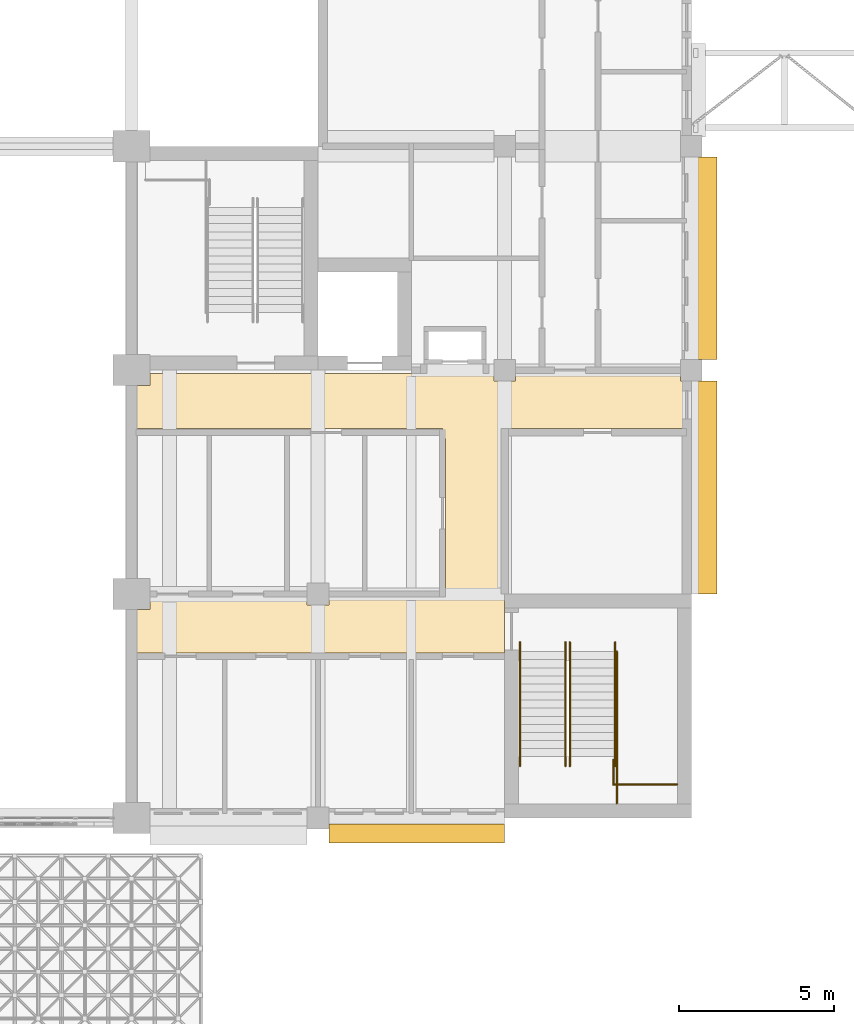
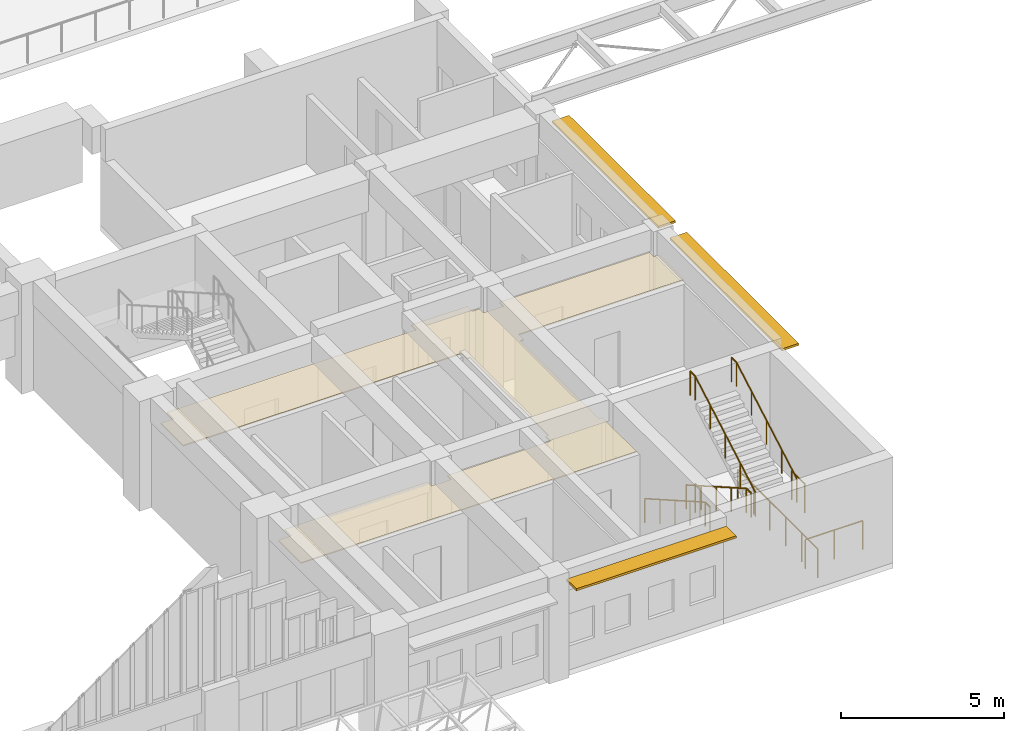
# One storey, part 99 of 103: 8 railings, 3 shading devices, 1 covering.
"""IFC4 building model written with IfcOpenShell, lengths in metres."""

from ifc_helpers import new_model, si_unit, direction, frame, origin, origin_2d, place, context, subcontext, project, spatial, polyline, rectangle, circle, outline, extrude, material, layer, layer_set, type_object, element, save


model = new_model("IFC4")

# Units and contexts
model_context = context("Model", 3, precision=1e-05, world=origin(), true_north=direction((0.0, 1.0)))
body_context = subcontext(model_context, "Body", "Model", "MODEL_VIEW")
ifc_project = project(units=[si_unit("LENGTHUNIT", "METRE"), si_unit("AREAUNIT", "SQUARE_METRE"), si_unit("VOLUMEUNIT", "CUBIC_METRE"), si_unit("PLANEANGLEUNIT", "RADIAN"), si_unit("MASSUNIT", "GRAM", prefix="KILO")], contexts=[model_context])

# Site, building, storey
site_placement = place(None, origin())
site = spatial("IfcSite", under=ifc_project, at=site_placement, CompositionType="ELEMENT")
building_placement = place(site_placement, origin())
building = spatial("IfcBuilding", under=site, at=building_placement, Name="Laocheng Heights Fire and Rescue Headquarters", CompositionType="ELEMENT")
storey_placement = place(building_placement, frame((0.0, 0.0, 4.199951171875)))
storey = spatial("IfcBuildingStorey", under=building, at=storey_placement, Name="L01", CompositionType="ELEMENT", Elevation=4.199951171875)

# Shading devices
ifc_material_1 = material(Name="Precast concrete C40/50, light warm grey", Category="concrete")
ifc_layer_1 = layer(ifc_material_1, 0.080078125)
ifc_layer_set_1 = layer_set([ifc_layer_1], Name="Precast concrete C40/50, light warm grey")
shading_device_type_1 = type_object("IfcShadingDeviceType", Name="PRECAST BLADE 600 x 80 BLADE E FLANK EAST", PredefinedType="JALOUSIE", material=ifc_layer_set_1)
shading_device_1_placement = place(storey_placement, frame((72.52490234375, 10.625, 3.4599609375), z_axis=(0.0, 0.0, 1.0), x_axis=(1.0, 0.0, 0.0)))
element("IfcShadingDevice", 1, at=shading_device_1_placement, inside=storey, type_object=shading_device_type_1, Name="BLADE E FLANK EAST L01", PredefinedType="JALOUSIE", context=body_context, shape_type="SweptSolid", body=[
    extrude(rectangle(XDim=0.60009765625, YDim=6.85009765625, at=origin_2d()), origin(), (0.0, 0.0, 1.0), 0.080078125),
])
shading_device_2_placement = place(storey_placement, frame((72.52490234375, 18.0, 3.4599609375), z_axis=(0.0, 0.0, 1.0), x_axis=(1.0, 0.0, 0.0)))
element("IfcShadingDevice", 2, at=shading_device_2_placement, inside=storey, type_object=shading_device_type_1, Name="BLADE E FLANK EAST L01", PredefinedType="JALOUSIE", context=body_context, shape_type="SweptSolid", body=[
    extrude(rectangle(XDim=0.60009765625, YDim=6.5, at=origin_2d()), origin(), (0.0, 0.0, 1.0), 0.080078125),
])
ifc_material_2 = material(Name="Precast concrete C40/50, light warm grey", Category="concrete")
ifc_layer_2 = layer(ifc_material_2, 0.080078125)
ifc_layer_set_2 = layer_set([ifc_layer_2], Name="Precast concrete C40/50, light warm grey")
shading_device_type_2 = type_object("IfcShadingDeviceType", Name="PRECAST BLADE 600 x 80 BLADE E FLANK SOUTH", PredefinedType="JALOUSIE", material=ifc_layer_set_2)
shading_device_3_placement = place(storey_placement, frame((63.175048828125, -0.5, 3.510009765625), z_axis=(0.0, 0.0, 1.0), x_axis=(1.0, 0.0, 0.0)))
element("IfcShadingDevice", 3, at=shading_device_3_placement, inside=storey, type_object=shading_device_type_2, Name="BLADE E FLANK SOUTH L01", PredefinedType="JALOUSIE", context=body_context, shape_type="SweptSolid", body=[
    extrude(rectangle(XDim=5.64990234375, YDim=0.60009765625, at=origin_2d()), origin(), (0.0, 0.0, 1.0), 0.080078125),
])

# Railings
ifc_material_3 = material(Name="Steel Q355B", Category="steel")
railing_type_1 = type_object("IfcRailingType", Name="STAIR GUARD 1100", PredefinedType="GUARDRAIL", material=ifc_material_3)
railing_1_placement = place(storey_placement, frame((68.094970703125, 5.0498046875, 0.0)))
element("IfcRailing", 4, at=railing_1_placement, inside=storey, type_object=railing_type_1, Name="Stair E2 guard L01 well edge", PredefinedType="GUARDRAIL", context=body_context, shape_type="SweptSolid", body=[
    extrude(circle(Radius=0.02392578125, at=origin_2d()), frame((0.0, 0.0, 1.076171875), z_axis=(0.0, 1.0, 0.0), x_axis=(-1.0, 0.0, 0.0)), (0.0, 0.0, 1.0), 0.30029296875),
    extrude(circle(Radius=0.02099609375, at=origin_2d()), origin(), (0.0, 0.0, 1.0), 1.052001953125),
    extrude(circle(Radius=0.02099609375, at=origin_2d()), frame((0.0, 0.30029296875, 0.0)), (0.0, 0.0, 1.0), 1.052001953125),
])
railing_2_placement = place(storey_placement, frame((69.52490234375, 1.080078125, 0.0)))
element("IfcRailing", 5, at=railing_2_placement, inside=storey, type_object=railing_type_1, Name="Stair E2 guard L01 tongue edge", PredefinedType="GUARDRAIL", context=body_context, shape_type="SweptSolid", body=[
    extrude(circle(Radius=0.02392578125, at=origin_2d()), frame((0.0, 0.0, 1.076171875), z_axis=(1.0, 0.0, 0.0), x_axis=(0.0, 1.0, 0.0)), (0.0, 0.0, 1.0), 2.025146484375),
    extrude(circle(Radius=0.02099609375, at=origin_2d()), origin(), (0.0, 0.0, 1.0), 1.052001953125),
    extrude(circle(Radius=0.02099609375, at=origin_2d()), frame((1.0126953125, 0.0, 0.0)), (0.0, 0.0, 1.0), 1.052001953125),
    extrude(circle(Radius=0.02099609375, at=origin_2d()), frame((2.025146484375, 0.0, 0.0)), (0.0, 0.0, 1.0), 1.052001953125),
])
railing_3_placement = place(storey_placement, frame((69.60498046875, 0.469970703125, 0.0)))
element("IfcRailing", 6, at=railing_3_placement, inside=storey, type_object=railing_type_1, Name="Stair E2 guard L01 strip edge", PredefinedType="GUARDRAIL", context=body_context, shape_type="SweptSolid", body=[
    extrude(circle(Radius=0.02392578125, at=origin_2d()), frame((0.0, 0.0, 1.076171875), z_axis=(0.0, 1.0, 0.0), x_axis=(-1.0, 0.0, 0.0)), (0.0, 0.0, 1.0), 4.880126953125),
    extrude(circle(Radius=0.02099609375, at=origin_2d()), origin(), (0.0, 0.0, 1.0), 1.052001953125),
    extrude(circle(Radius=0.02099609375, at=origin_2d()), frame((0.0, 0.97607421875, 0.0)), (0.0, 0.0, 1.0), 1.052001953125),
    extrude(circle(Radius=0.02099609375, at=origin_2d()), frame((0.0, 1.9521484375, 0.0)), (0.0, 0.0, 1.0), 1.052001953125),
    extrude(circle(Radius=0.02099609375, at=origin_2d()), frame((0.0, 2.927978515625, 0.0)), (0.0, 0.0, 1.0), 1.052001953125),
    extrude(circle(Radius=0.02099609375, at=origin_2d()), frame((0.0, 3.904052734375, 0.0)), (0.0, 0.0, 1.0), 1.052001953125),
    extrude(circle(Radius=0.02099609375, at=origin_2d()), frame((0.0, 4.880126953125, 0.0)), (0.0, 0.0, 1.0), 1.052001953125),
])
railing_4_placement = place(storey_placement, frame((69.4951171875, 1.070068359375, 2.10009765625)))
element("IfcRailing", 7, at=railing_4_placement, inside=storey, type_object=railing_type_1, Name="Stair E2 guard L01 half landing", PredefinedType="GUARDRAIL", context=body_context, shape_type="SweptSolid", body=[
    extrude(circle(Radius=0.02392578125, at=origin_2d()), frame((0.0, 0.0, 1.076171875), z_axis=(0.0, 1.0, 0.0), x_axis=(-1.0, 0.0, 0.0)), (0.0, 0.0, 1.0), 0.800048828125),
    extrude(circle(Radius=0.02099609375, at=origin_2d()), origin(), (0.0, 0.0, 1.0), 1.052001953125),
    extrude(circle(Radius=0.02099609375, at=origin_2d()), frame((0.0, 0.800048828125, 0.0)), (0.0, 0.0, 1.0), 1.052001953125),
])
ifc_material_4 = material(Name="Steel Q355B", Category="steel")
railing_type_2 = type_object("IfcRailingType", Name="STAIR HANDRAIL 920", PredefinedType="HANDRAIL", material=ifc_material_4)
for number, where, name in (
    (8, (66.4951171875, 5.64990234375, 0.0), "Stair E2 handrail L01 1"),
    (9, (67.955078125, 5.64990234375, 0.0), "Stair E2 handrail L01 2"),
):
    element("IfcRailing", number, at=place(storey_placement, frame(where)), inside=storey, type_object=railing_type_2, Name=name, PredefinedType="HANDRAIL", context=body_context, shape_type="SweptSolid", body=[
        extrude(circle(Radius=0.02392578125, at=origin_2d()), frame((0.0, 0.0, 0.89599609375), z_axis=(0.0, -0.868519587458, 0.495654845838), x_axis=(1.0, 0.0, 0.0)), (0.0, 0.0, 1.0), 4.237060546875),
        extrude(circle(Radius=0.02392578125, at=origin_2d()), frame((0.0, -3.679931640625, 2.99609375), z_axis=(0.0, -1.0, 0.0), x_axis=(1.0, 0.0, 0.0)), (0.0, 0.0, 1.0), 0.300048828125),
        extrude(circle(Radius=0.02099609375, at=origin_2d()), origin(), (0.0, 0.0, 1.0), 0.871826171875),
        extrude(circle(Radius=0.02099609375, at=origin_2d()), frame((0.0, -0.919921875, 0.52490234375)), (0.0, 0.0, 1.0), 0.871826171875),
        extrude(circle(Radius=0.02099609375, at=origin_2d()), frame((0.0, -1.83984375, 1.050048828125)), (0.0, 0.0, 1.0), 0.871826171875),
        extrude(circle(Radius=0.02099609375, at=origin_2d()), frame((0.0, -2.760009765625, 1.5751953125)), (0.0, 0.0, 1.0), 0.871826171875),
        extrude(circle(Radius=0.02099609375, at=origin_2d()), frame((0.0, -3.679931640625, 2.10009765625)), (0.0, 0.0, 1.0), 0.871826171875),
        extrude(circle(Radius=0.02099609375, at=origin_2d()), frame((0.0, -3.97998046875, 2.10009765625)), (0.0, 0.0, 1.0), 0.871826171875),
    ])
for number, where, name in (
    (10, (68.094970703125, 1.669921875, 2.10009765625), "Stair E2 handrail L01 3"),
    (11, (69.554931640625, 1.669921875, 2.10009765625), "Stair E2 handrail L01 4"),
):
    element("IfcRailing", number, at=place(storey_placement, frame(where)), inside=storey, type_object=railing_type_2, Name=name, PredefinedType="HANDRAIL", context=body_context, shape_type="SweptSolid", body=[
        extrude(circle(Radius=0.02392578125, at=origin_2d()), frame((0.0, 0.0, 0.89599609375), z_axis=(0.0, 0.868558544855, 0.495586575846), x_axis=(-1.0, 0.0, 0.0)), (0.0, 0.0, 1.0), 4.237060546875),
        extrude(circle(Radius=0.02392578125, at=origin_2d()), frame((0.0, 3.68017578125, 2.99560546875), z_axis=(0.0, 1.0, 0.0), x_axis=(-1.0, 0.0, 0.0)), (0.0, 0.0, 1.0), 0.2998046875),
        extrude(circle(Radius=0.02099609375, at=origin_2d()), origin(), (0.0, 0.0, 1.0), 0.871826171875),
        extrude(circle(Radius=0.02099609375, at=origin_2d()), frame((0.0, 0.919921875, 0.52490234375)), (0.0, 0.0, 1.0), 0.871826171875),
        extrude(circle(Radius=0.02099609375, at=origin_2d()), frame((0.0, 1.840087890625, 1.0498046875)), (0.0, 0.0, 1.0), 0.871826171875),
        extrude(circle(Radius=0.02099609375, at=origin_2d()), frame((0.0, 2.76025390625, 1.574951171875)), (0.0, 0.0, 1.0), 0.871826171875),
        extrude(circle(Radius=0.02099609375, at=origin_2d()), frame((0.0, 3.68017578125, 2.099853515625)), (0.0, 0.0, 1.0), 0.871826171875),
        extrude(circle(Radius=0.02099609375, at=origin_2d()), frame((0.0, 3.97998046875, 2.099853515625)), (0.0, 0.0, 1.0), 0.871826171875),
    ])

# Covering
ifc_material_5 = material(Name="Mineral fibre ceiling tile")
ifc_layer_3 = layer(ifc_material_5, 0.0400390625)
ifc_layer_set_3 = layer_set([ifc_layer_3], Name="Mineral fibre ceiling tile")
covering_type = type_object("IfcCoveringType", Name="SUSPENDED CEILING MINERAL FIBRE TILE", PredefinedType="CEILING", material=ifc_layer_set_3)
covering_placement = place(storey_placement, frame((0.0, 0.0, 3.0)))
element("IfcCovering", 12, at=covering_placement, inside=storey, type_object=covering_type, Name="Circulation E flank ceiling", PredefinedType="CEILING", context=body_context, shape_type="SweptSolid", body=[
    extrude(outline(polyline([(54.14990234375, 6.699951171875), (54.60009765625, 6.699951171875), (54.60009765625, 7.10009765625), (59.64990234375, 7.10009765625), (59.64990234375, 6.85009765625), (60.35009765625, 6.85009765625), (60.35009765625, 7.10009765625), (64.0, 7.10009765625), (64.0, 7.199951171875), (64.0, 7.39990234375), (64.10009765625, 7.39990234375), (64.10009765625, 12.199951171875), (64.0, 12.199951171875), (64.0, 12.39990234375), (64.0, 12.52001953125), (54.14990234375, 12.52001953125), (54.14990234375, 13.89990234375), (54.60009765625, 13.89990234375), (54.60009765625, 14.300048828125), (63.39990234375, 14.300048828125), (63.39990234375, 14.39990234375), (63.39990234375, 14.60009765625), (63.5, 14.60009765625), (65.300048828125, 14.60009765625), (65.39990234375, 14.60009765625), (65.39990234375, 14.39990234375), (65.39990234375, 14.300048828125), (65.64990234375, 14.300048828125), (65.64990234375, 14.050048828125), (66.35009765625, 14.050048828125), (66.35009765625, 14.300048828125), (71.64990234375, 14.300048828125), (71.64990234375, 14.050048828125), (71.85009765625, 14.050048828125), (71.85009765625, 12.52001953125), (66.0, 12.52001953125), (66.0, 12.39990234375), (66.0, 12.199951171875), (65.8798828125, 12.199951171875), (65.8798828125, 7.39990234375), (66.0, 7.39990234375), (66.0, 7.199951171875), (66.0, 7.10009765625), (66.0, 7.0), (66.0, 5.300048828125), (54.14990234375, 5.300048828125), (54.14990234375, 6.699951171875)])), origin(), (0.0, 0.0, 1.0), 0.0400390625),
])

save(model, "model.ifc")
